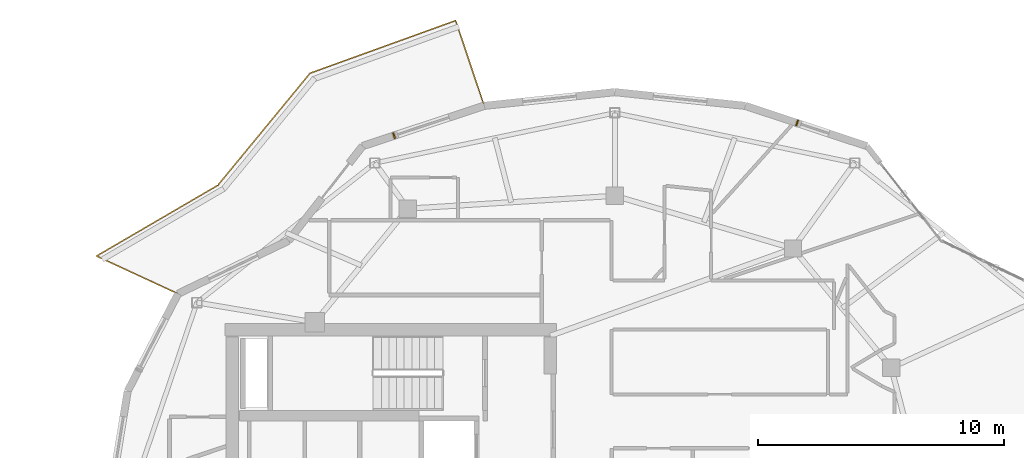
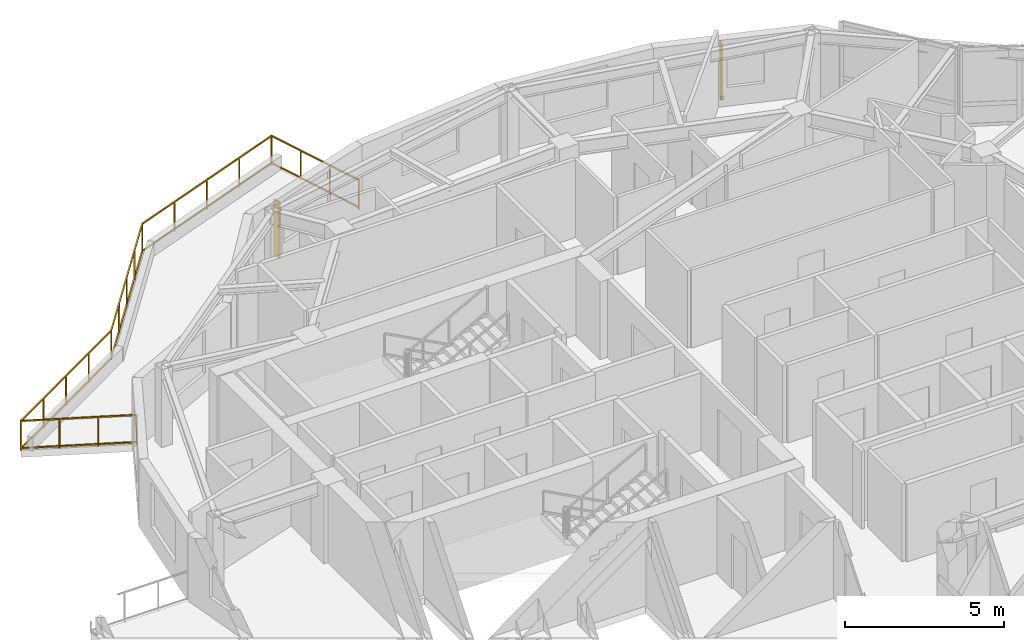
# One storey, part 15 of 15: 2 shading devices, 1 railing.
"""IFC4 building model written with IfcOpenShell, lengths in metres."""

from ifc_helpers import new_model, si_unit, direction, frame, origin, origin_2d, place, context, subcontext, project, spatial, rectangle, extrude, material, type_object, element, save


model = new_model("IFC4")

# Units and contexts
model_context = context("Model", 3, precision=1e-05, world=origin(), true_north=direction((0.0, 1.0)))
body_context = subcontext(model_context, "Body", "Model", "MODEL_VIEW")
ifc_project = project(units=[si_unit("LENGTHUNIT", "METRE"), si_unit("AREAUNIT", "SQUARE_METRE"), si_unit("VOLUMEUNIT", "CUBIC_METRE"), si_unit("PLANEANGLEUNIT", "RADIAN"), si_unit("MASSUNIT", "GRAM", prefix="KILO")], contexts=[model_context])

# Site, building, storey
site_placement = place(None, origin())
site = spatial("IfcSite", under=ifc_project, at=site_placement, CompositionType="ELEMENT")
building_placement = place(site_placement, origin())
building = spatial("IfcBuilding", under=site, at=building_placement, Name="Kolvaren Gate Tower and Convention Centre", CompositionType="ELEMENT")
storey_placement = place(building_placement, frame((0.0, 0.0, 272.300048828125)))
storey = spatial("IfcBuildingStorey", under=building, at=storey_placement, Name="L74", CompositionType="ELEMENT", Elevation=272.300048828125)

# Railing
ifc_material_1 = material(Name="Brushed Stainless Steel Grade 316L", Category="steel")
railing_type = type_object("IfcRailingType", Name="ARCH-RL-GUARD-1150", PredefinedType="GUARDRAIL", material=ifc_material_1)
railing_placement = place(storey_placement, frame((24.81103515625, 42.865234375, 0.0)))
element("IfcRailing", 1, at=railing_placement, inside=storey, type_object=railing_type, Name="Tower L74 Terrace Perimeter Guardrail GR-1", PredefinedType="GUARDRAIL", context=body_context, shape_type="SweptSolid", body=[
    extrude(rectangle(XDim=0.048095703125, YDim=0.048095703125, at=origin_2d()), frame((-0.0087890625, 0.026611328125, 1.1259765625), z_axis=(-0.317588247294, 0.948228719867, 0.0), x_axis=(-0.948228719867, -0.317588247294, 0.0)), (0.0, 0.0, 1.0), 3.603759765625),
    extrude(rectangle(XDim=0.048095703125, YDim=0.048095703125, at=origin_2d()), frame((-0.0087890625, 0.026611328125, 0.083984375), z_axis=(-0.317588247294, 0.948228719867, 0.0), x_axis=(-0.948228719867, -0.317588247294, 0.0)), (0.0, 0.0, 1.0), 3.603759765625),
    extrude(rectangle(XDim=0.048095703125, YDim=0.048095703125, at=origin_2d()), frame((-1.188720703125, 3.4609375, 1.1259765625), z_axis=(-0.940477613992, -0.339855642267, 0.0), x_axis=(0.339855642267, -0.940477613992, 0.0)), (0.0, 0.0, 1.0), 6.25048828125),
    extrude(rectangle(XDim=0.048095703125, YDim=0.048095703125, at=origin_2d()), frame((-1.188720703125, 3.4609375, 0.083984375), z_axis=(-0.940477613992, -0.339855642267, 0.0), x_axis=(0.339855642267, -0.940477613992, 0.0)), (0.0, 0.0, 1.0), 6.25048828125),
    extrude(rectangle(XDim=0.048095703125, YDim=0.048095703125, at=origin_2d()), frame((-7.111328125, 1.305419921875, 1.1259765625), z_axis=(-0.635426304589, -0.772161519008, 0.0), x_axis=(0.772161519008, -0.635426304589, 0.0)), (0.0, 0.0, 1.0), 5.85400390625),
    extrude(rectangle(XDim=0.048095703125, YDim=0.048095703125, at=origin_2d()), frame((-7.111328125, 1.305419921875, 0.083984375), z_axis=(-0.635426304589, -0.772161519008, 0.0), x_axis=(0.772161519008, -0.635426304589, 0.0)), (0.0, 0.0, 1.0), 5.85400390625),
    extrude(rectangle(XDim=0.048095703125, YDim=0.048095703125, at=origin_2d()), frame((-10.873046875, -3.25048828125, 1.1259765625), z_axis=(-0.863803671285, -0.503828559606, 0.0), x_axis=(0.503828559606, -0.863803671285, 0.0)), (0.0, 0.0, 1.0), 5.663330078125),
    extrude(rectangle(XDim=0.048095703125, YDim=0.048095703125, at=origin_2d()), frame((-10.873046875, -3.25048828125, 0.083984375), z_axis=(-0.863803671285, -0.503828559606, 0.0), x_axis=(0.503828559606, -0.863803671285, 0.0)), (0.0, 0.0, 1.0), 5.663330078125),
    extrude(rectangle(XDim=0.048095703125, YDim=0.048095703125, at=origin_2d()), frame((-15.763916015625, -6.129638671875, 1.1259765625), z_axis=(0.907820723829, -0.419358478377, 0.0), x_axis=(0.419358478377, 0.907820723829, 0.0)), (0.0, 0.0, 1.0), 3.60400390625),
    extrude(rectangle(XDim=0.048095703125, YDim=0.048095703125, at=origin_2d()), frame((-15.763916015625, -6.129638671875, 0.083984375), z_axis=(0.907820723829, -0.419358478377, 0.0), x_axis=(0.419358478377, 0.907820723829, 0.0)), (0.0, 0.0, 1.0), 3.60400390625),
    extrude(rectangle(XDim=0.0419921875, YDim=0.0419921875, at=origin_2d()), origin(), (0.0, 0.0, 1.0), 1.14990234375),
    extrude(rectangle(XDim=0.0419921875, YDim=0.0419921875, at=origin_2d()), frame((-1.162353515625, 3.470458984375, 0.0)), (0.0, 0.0, 1.0), 1.14990234375),
    extrude(rectangle(XDim=0.0419921875, YDim=0.0419921875, at=origin_2d()), frame((-0.387451171875, 1.15673828125, 0.0)), (0.0, 0.0, 1.0), 1.099853515625),
    extrude(rectangle(XDim=0.0419921875, YDim=0.0419921875, at=origin_2d()), frame((-0.77490234375, 2.313720703125, 0.0)), (0.0, 0.0, 1.0), 1.099853515625),
    extrude(rectangle(XDim=0.0419921875, YDim=0.0419921875, at=origin_2d()), frame((-7.093505859375, 1.3271484375, 0.0)), (0.0, 0.0, 1.0), 1.14990234375),
    extrude(rectangle(XDim=0.0419921875, YDim=0.0419921875, at=origin_2d()), frame((-2.64501953125, 2.9345703125, 0.0)), (0.0, 0.0, 1.0), 1.099853515625),
    extrude(rectangle(XDim=0.0419921875, YDim=0.0419921875, at=origin_2d()), frame((-4.1279296875, 2.39892578125, 0.0)), (0.0, 0.0, 1.0), 1.099853515625),
    extrude(rectangle(XDim=0.0419921875, YDim=0.0419921875, at=origin_2d()), frame((-5.61083984375, 1.863037109375, 0.0)), (0.0, 0.0, 1.0), 1.099853515625),
    extrude(rectangle(XDim=0.0419921875, YDim=0.0419921875, at=origin_2d()), frame((-10.848876953125, -3.236328125, 0.0)), (0.0, 0.0, 1.0), 1.14990234375),
    extrude(rectangle(XDim=0.0419921875, YDim=0.0419921875, at=origin_2d()), frame((-8.0322265625, 0.186279296875, 0.0)), (0.0, 0.0, 1.0), 1.099853515625),
    extrude(rectangle(XDim=0.0419921875, YDim=0.0419921875, at=origin_2d()), frame((-8.97119140625, -0.95458984375, 0.0)), (0.0, 0.0, 1.0), 1.099853515625),
    extrude(rectangle(XDim=0.0419921875, YDim=0.0419921875, at=origin_2d()), frame((-9.91015625, -2.095458984375, 0.0)), (0.0, 0.0, 1.0), 1.099853515625),
    extrude(rectangle(XDim=0.0419921875, YDim=0.0419921875, at=origin_2d()), frame((-15.789306640625, -6.117919921875, 0.0)), (0.0, 0.0, 1.0), 1.14990234375),
    extrude(rectangle(XDim=0.0419921875, YDim=0.0419921875, at=origin_2d()), frame((-12.083984375, -3.956787109375, 0.0)), (0.0, 0.0, 1.0), 1.099853515625),
    extrude(rectangle(XDim=0.0419921875, YDim=0.0419921875, at=origin_2d()), frame((-13.319091796875, -4.67724609375, 0.0)), (0.0, 0.0, 1.0), 1.099853515625),
    extrude(rectangle(XDim=0.0419921875, YDim=0.0419921875, at=origin_2d()), frame((-14.55419921875, -5.3974609375, 0.0)), (0.0, 0.0, 1.0), 1.099853515625),
    extrude(rectangle(XDim=0.0419921875, YDim=0.0419921875, at=origin_2d()), frame((-12.466552734375, -7.65283203125, 0.0)), (0.0, 0.0, 1.0), 1.14990234375),
    extrude(rectangle(XDim=0.0419921875, YDim=0.0419921875, at=origin_2d()), frame((-14.681640625, -6.629638671875, 0.0)), (0.0, 0.0, 1.0), 1.099853515625),
    extrude(rectangle(XDim=0.0419921875, YDim=0.0419921875, at=origin_2d()), frame((-13.57421875, -7.14111328125, 0.0)), (0.0, 0.0, 1.0), 1.099853515625),
])

# Shading devices
ifc_material_2 = material(Name="Kiln-Fired Bogota Terracotta Ceramic Louvre Profile", Category="masonry")
shading_device_type = type_object("IfcShadingDeviceType", Name="ARCH-SHD-FIN-180", PredefinedType="JALOUSIE", material=ifc_material_2)
for number, where, z_axis, x_axis, name in (
    (2, (37.546142578125, 42.1669921875, 0.219970703125), (0.0, 0.0, 1.0), (0.949243375549, -0.314542547163, 0.0), "Ceramic Vertical Brise-Soleil Fin FN-L74-04"),
    (3, (21.138916015625, 41.6484375, 0.219970703125), (0.0, 0.0, 1.0), (0.949243375549, 0.314542547163, 0.0), "Ceramic Vertical Brise-Soleil Fin FN-L74-07"),
):
    element("IfcShadingDevice", number, at=place(storey_placement, frame(where, z_axis=z_axis, x_axis=x_axis)), inside=storey, type_object=shading_device_type, Name=name, PredefinedType="JALOUSIE", context=body_context, shape_type="SweptSolid", body=[
        extrude(rectangle(XDim=0.06005859375, YDim=0.239990234375, at=origin_2d()), origin(), (0.0, 0.0, 1.0), 2.14990234375),
    ])

save(model, "model.ifc")
